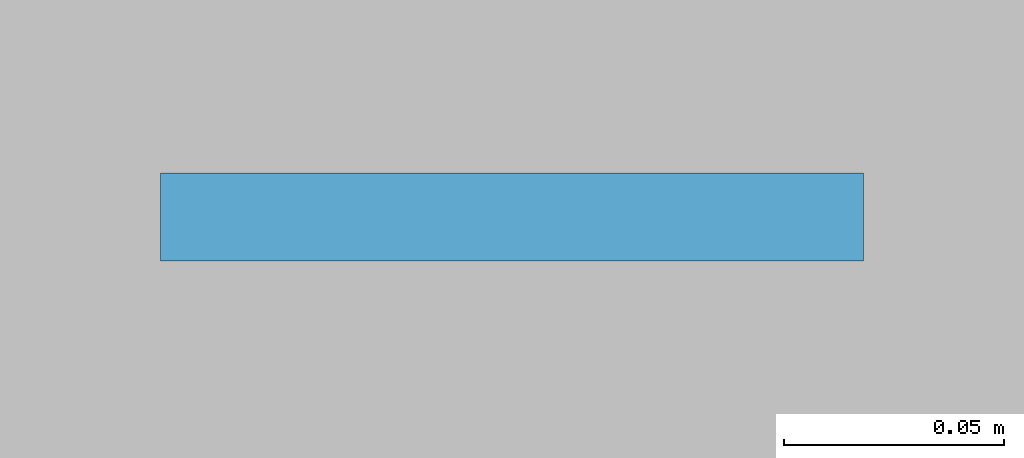
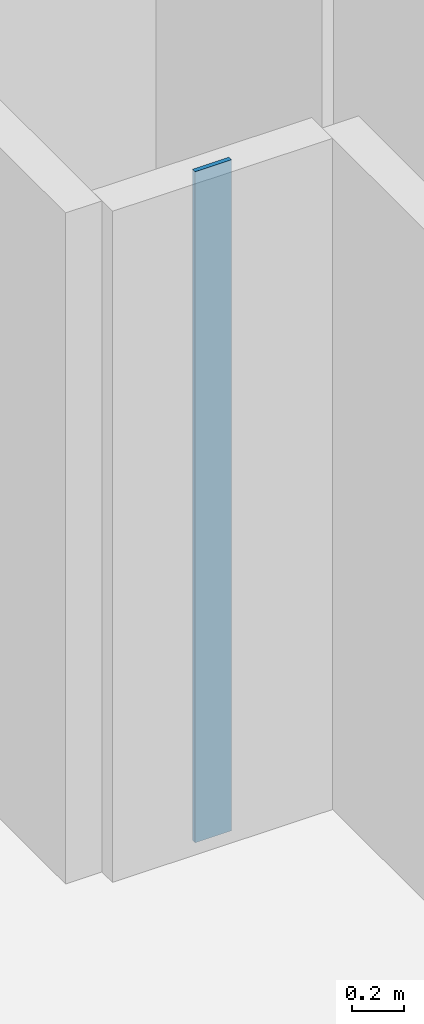
# One storey, part 5 of 13: 1 plate.
"""IFC4 building model written with IfcOpenShell, lengths in metres."""

from ifc_helpers import new_model, si_unit, direction, frame, origin, origin_2d, place, context, subcontext, project, spatial, rectangle, extrude, material, layer, layer_set, type_object, element, save


model = new_model("IFC4")

# Units and contexts
model_context = context("Model", 3, precision=1e-05, world=origin(), true_north=direction((0.0, 1.0)))
body_context = subcontext(model_context, "Body", "Model", "MODEL_VIEW")
ifc_project = project(units=[si_unit("LENGTHUNIT", "METRE"), si_unit("AREAUNIT", "SQUARE_METRE"), si_unit("VOLUMEUNIT", "CUBIC_METRE"), si_unit("PLANEANGLEUNIT", "RADIAN"), si_unit("MASSUNIT", "GRAM", prefix="KILO")], contexts=[model_context])

# Site, building, storey
site_placement = place(None, origin())
site = spatial("IfcSite", under=ifc_project, at=site_placement, CompositionType="ELEMENT")
building_placement = place(site_placement, origin())
building = spatial("IfcBuilding", under=site, at=building_placement, Name="Miruveldt Soraemaru", CompositionType="ELEMENT")
storey_placement = place(building_placement, frame((0.0, 0.0, 46.199951171875)))
storey = spatial("IfcBuildingStorey", under=building, at=storey_placement, Name="L12", CompositionType="ELEMENT", Elevation=46.199951171875)

# Plate
ifc_material = material(Name="Anodised aluminium EN AW-6063 T6", Category="aluminium")
ifc_layer = layer(ifc_material, 0.02001953125, Name="Anodised aluminium EN AW-6063 T6", Category="aluminium")
ifc_layer_set = layer_set([ifc_layer], Name="Anodised aluminium EN AW-6063 T6")
plate_type = type_object("IfcPlateType", Name="PLT-PART-TRIM", PredefinedType="SHEET", material=ifc_layer_set)
plate_placement = place(storey_placement, frame((51.514892578125, 62.1298828125, 0.0), z_axis=(0.0, 0.0, 1.0), x_axis=(-1.0, 0.0, 0.0)))
element("IfcPlate", 1, at=plate_placement, inside=storey, type_object=plate_type, Name="L12 Partition Step Corner Trim Plate 036", PredefinedType="SHEET", context=body_context, shape_type="SweptSolid", body=[
    extrude(rectangle(XDim=0.159912109375, YDim=0.02001953125, at=origin_2d()), origin(), (0.0, 0.0, 1.0), 3.125),
])

save(model, "model.ifc")
